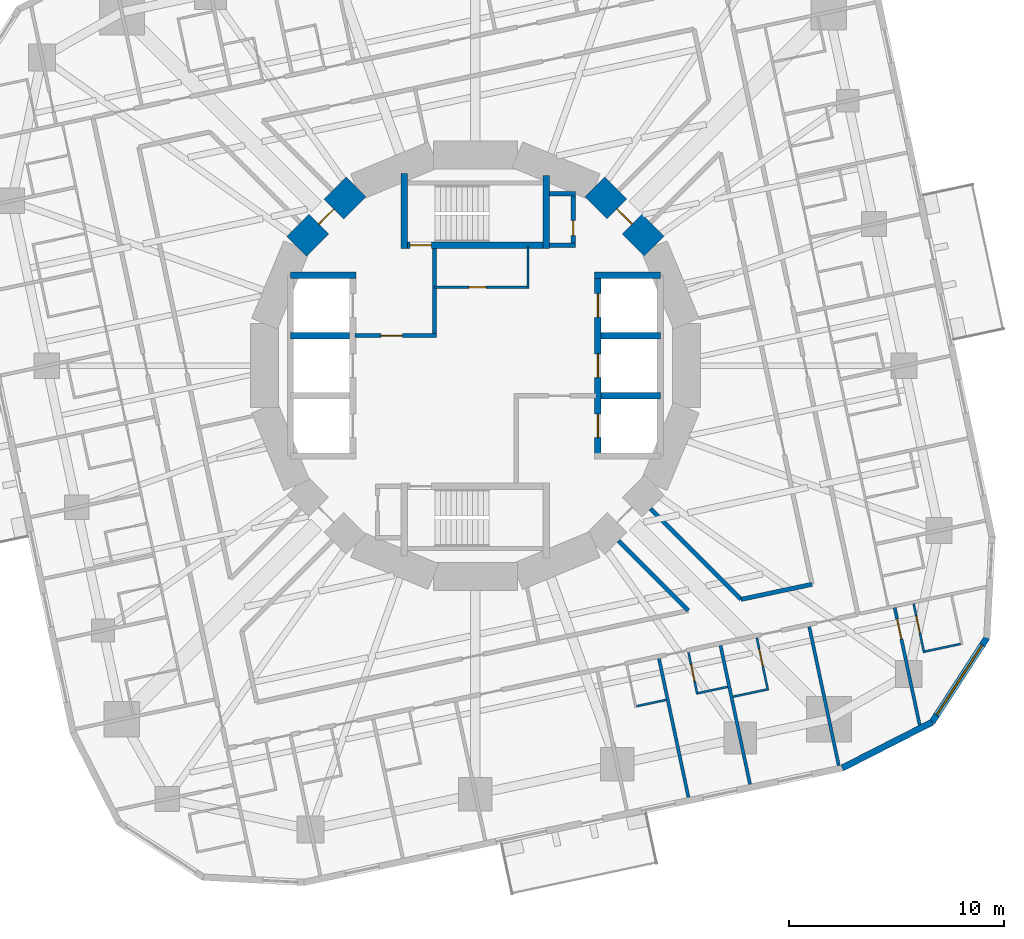
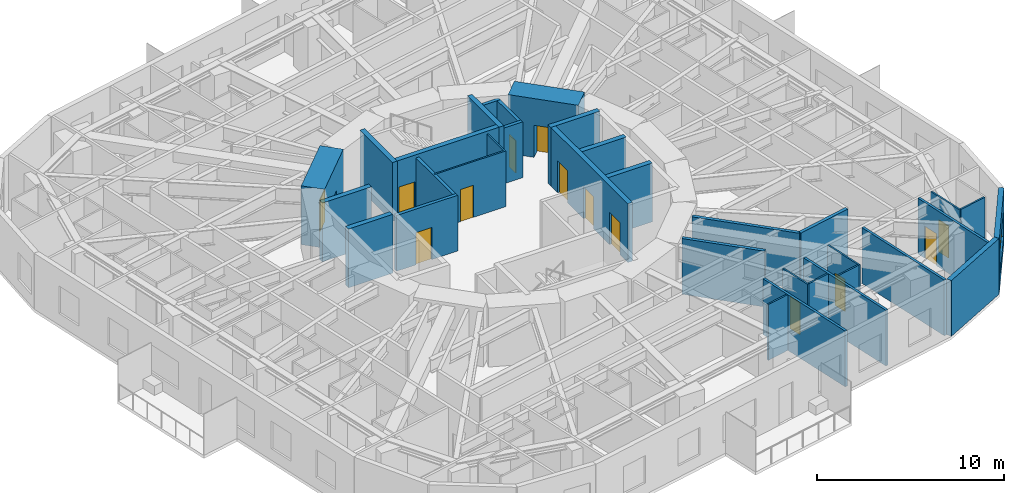
# One storey, part 7 of 13: 34 walls, 13 doors, 1 window, 14 openings.
"""IFC4 building model written with IfcOpenShell, lengths in metres."""

from ifc_helpers import new_model, si_unit, direction, frame, frame_2d, origin, place, context, subcontext, project, spatial, rectangle, extrude, material, layer, layer_set, type_object, element, fill, save


model = new_model("IFC4")

# Units and contexts
model_context = context("Model", 3, precision=1e-05, world=origin(), true_north=direction((0.0, 1.0)))
body_context = subcontext(model_context, "Body", "Model", "MODEL_VIEW")
ifc_project = project(units=[si_unit("LENGTHUNIT", "METRE"), si_unit("AREAUNIT", "SQUARE_METRE"), si_unit("VOLUMEUNIT", "CUBIC_METRE"), si_unit("PLANEANGLEUNIT", "RADIAN"), si_unit("MASSUNIT", "GRAM", prefix="KILO")], contexts=[model_context])

# Site, building, storey
site_placement = place(None, origin())
site = spatial("IfcSite", under=ifc_project, at=site_placement, CompositionType="ELEMENT")
building_placement = place(site_placement, origin())
building = spatial("IfcBuilding", under=site, at=building_placement, Name="Nakasero Lantern House", CompositionType="ELEMENT")
storey_placement = place(building_placement, frame((0.0, 0.0, 131.949951171875)))
storey = spatial("IfcBuildingStorey", under=building, at=storey_placement, Name="L32", CompositionType="ELEMENT", Elevation=131.949951171875)

# Wall, openings, doors
ifc_material_1 = material(Name="Concrete C50/60", Category="concrete")
ifc_layer_1 = layer(ifc_material_1, 0.300048828125)
ifc_layer_set_1 = layer_set([ifc_layer_1], Name="Core inner wall 300")
wall_type_1 = type_object("IfcWallType", Name="Core inner wall 300", PredefinedType="SHEAR", material=ifc_layer_set_1)
wall_1_placement = place(storey_placement, frame((5.699951171875, -4.199951171875, 0.0), z_axis=(0.0, 0.0, 1.0), x_axis=(0.0, 1.0, 0.0)))
wall_1 = element("IfcWall", 1, at=wall_1_placement, inside=storey, type_object=wall_type_1, Name="Core inner wall L32 LE", PredefinedType="SHEAR", context=body_context, shape_type="SweptSolid", body=[
    extrude(rectangle(XDim=8.39990234375, YDim=0.300048828125, at=frame_2d((4.199951171875, 0.0))), origin(), (0.0, 0.0, 1.0), 3.85009765625),
])
opening_1_placement = place(wall_1_placement, frame((0.85009765625, 0.0, 0.0)))
opening_1 = element("IfcOpeningElement", 2, at=opening_1_placement, cuts=wall_1, Name="Opening LD", PredefinedType="OPENING", context=body_context, shape_type="SweptSolid", body=[
    extrude(rectangle(XDim=1.10009765625, YDim=2.10009765625, at=frame_2d((0.550048828125, 1.050048828125))), frame((0.0, 0.169921875, 0.0), z_axis=(0.0, -1.0, 0.0), x_axis=(1.0, 0.0, 0.0)), (0.0, 0.0, 1.0), 0.340087890625),
])
opening_2_placement = place(wall_1_placement, frame((3.64990234375, 0.0, 0.0)))
opening_2 = element("IfcOpeningElement", 3, at=opening_2_placement, cuts=wall_1, Name="Opening LD", PredefinedType="OPENING", context=body_context, shape_type="SweptSolid", body=[
    extrude(rectangle(XDim=1.10009765625, YDim=2.10009765625, at=frame_2d((0.550048828125, 1.050048828125))), frame((0.0, 0.169921875, 0.0), z_axis=(0.0, -1.0, 0.0), x_axis=(1.0, 0.0, 0.0)), (0.0, 0.0, 1.0), 0.340087890625),
])
opening_3_placement = place(wall_1_placement, frame((6.449951171875, 0.0, 0.0)))
opening_3 = element("IfcOpeningElement", 4, at=opening_3_placement, cuts=wall_1, Name="Opening LD", PredefinedType="OPENING", context=body_context, shape_type="SweptSolid", body=[
    extrude(rectangle(XDim=1.10009765625, YDim=2.10009765625, at=frame_2d((0.550048828125, 1.050048828125))), frame((0.0, 0.169921875, 0.0), z_axis=(0.0, -1.0, 0.0), x_axis=(1.0, 0.0, 0.0)), (0.0, 0.0, 1.0), 0.340087890625),
])
ifc_material_2 = material(Name="Steel S355", Category="steel")
door_type_1 = type_object("IfcDoorType", Name="Lift landing door E120 1100", OperationType="SLIDING_TO_LEFT", PredefinedType="DOOR", material=ifc_material_2)
door_1_placement = place(opening_1_placement, origin())
door_1 = element("IfcDoor", 5, at=door_1_placement, inside=storey, type_object=door_type_1, Name="Lift landing door LE1", OperationType="SLIDING_TO_LEFT", OverallHeight=2.10009765625, OverallWidth=1.10009765625, PredefinedType="DOOR", context=body_context, shape_type="SweptSolid", body=[
    extrude(rectangle(XDim=1.10009765625, YDim=2.10009765625, at=frame_2d((0.550048828125, 1.050048828125))), frame((0.0, 0.02490234375, 0.0), z_axis=(0.0, -1.0, 0.0), x_axis=(1.0, 0.0, 0.0)), (0.0, 0.0, 1.0), 0.050048828125),
])
fill(opening_1, door_1)
door_2_placement = place(opening_2_placement, origin())
door_2 = element("IfcDoor", 6, at=door_2_placement, inside=storey, type_object=door_type_1, Name="Lift landing door LE2", OperationType="SLIDING_TO_LEFT", OverallHeight=2.10009765625, OverallWidth=1.10009765625, PredefinedType="DOOR", context=body_context, shape_type="SweptSolid", body=[
    extrude(rectangle(XDim=1.10009765625, YDim=2.10009765625, at=frame_2d((0.550048828125, 1.050048828125))), frame((0.0, 0.02490234375, 0.0), z_axis=(0.0, -1.0, 0.0), x_axis=(1.0, 0.0, 0.0)), (0.0, 0.0, 1.0), 0.050048828125),
])
fill(opening_2, door_2)
door_3_placement = place(opening_3_placement, origin())
door_3 = element("IfcDoor", 7, at=door_3_placement, inside=storey, type_object=door_type_1, Name="Lift landing door LE3", OperationType="SLIDING_TO_LEFT", OverallHeight=2.10009765625, OverallWidth=1.10009765625, PredefinedType="DOOR", context=body_context, shape_type="SweptSolid", body=[
    extrude(rectangle(XDim=1.10009765625, YDim=2.10009765625, at=frame_2d((0.550048828125, 1.050048828125))), frame((0.0, 0.02490234375, 0.0), z_axis=(0.0, -1.0, 0.0), x_axis=(1.0, 0.0, 0.0)), (0.0, 0.0, 1.0), 0.050048828125),
])
fill(opening_3, door_3)

# Walls
for number, where, z_axis, x_axis, name in (
    (8, (-8.60009765625, 4.199951171875, 0.0), (0.0, 0.0, 1.0), (1.0, 0.0, 0.0), "Core inner wall L32 LWN"),
    (9, (5.550048828125, 4.199951171875, 0.0), (0.0, 0.0, 1.0), (1.0, 0.0, 0.0), "Core inner wall L32 LEN"),
):
    element("IfcWall", number, at=place(storey_placement, frame(where, z_axis=z_axis, x_axis=x_axis)), inside=storey, type_object=wall_type_1, Name=name, PredefinedType="SHEAR", context=body_context, shape_type="SweptSolid", body=[
        extrude(rectangle(XDim=3.050048828125, YDim=0.300048828125, at=frame_2d((1.52490234375, 0.0))), origin(), (0.0, 0.0, 1.0), 3.85009765625),
    ])
for number, where, z_axis, x_axis, name in (
    (10, (-8.60009765625, 1.39990234375, 0.0), (0.0, 0.0, 1.0), (1.0, 0.0, 0.0), "Core inner wall L32 LW2"),
    (11, (5.85009765625, -1.39990234375, 0.0), (0.0, 0.0, 1.0), (1.0, 0.0, 0.0), "Core inner wall L32 LE1"),
    (12, (5.85009765625, 1.39990234375, 0.0), (0.0, 0.0, 1.0), (1.0, 0.0, 0.0), "Core inner wall L32 LE2"),
):
    element("IfcWall", number, at=place(storey_placement, frame(where, z_axis=z_axis, x_axis=x_axis)), inside=storey, type_object=wall_type_1, Name=name, PredefinedType="SHEAR", context=body_context, shape_type="SweptSolid", body=[
        extrude(rectangle(XDim=2.75, YDim=0.300048828125, at=frame_2d((1.375, 0.0))), origin(), (0.0, 0.0, 1.0), 3.85009765625),
    ])

# Wall, opening, door
wall_2_placement = place(storey_placement, frame((-3.449951171875, 5.60009765625, 0.0), z_axis=(0.0, 0.0, 1.0), x_axis=(1.0, 0.0, 0.0)))
wall_2 = element("IfcWall", 13, at=wall_2_placement, inside=storey, type_object=wall_type_1, Name="Core inner wall L32 SN", PredefinedType="SHEAR", context=body_context, shape_type="SweptSolid", body=[
    extrude(rectangle(XDim=6.89990234375, YDim=0.300048828125, at=frame_2d((3.449951171875, 0.0))), origin(), (0.0, 0.0, 1.0), 3.85009765625),
])
opening_4_placement = place(wall_2_placement, frame((0.39990234375, 0.0, 0.0)))
opening_4 = element("IfcOpeningElement", 14, at=opening_4_placement, cuts=wall_2, Name="Opening D05", PredefinedType="OPENING", context=body_context, shape_type="SweptSolid", body=[
    extrude(rectangle(XDim=1.0, YDim=2.10009765625, at=frame_2d((0.5, 1.050048828125))), frame((0.0, 0.169921875, 0.0), z_axis=(0.0, -1.0, 0.0), x_axis=(1.0, 0.0, 0.0)), (0.0, 0.0, 1.0), 0.340087890625),
])
ifc_material_3 = material(Name="Timber C24", Category="wood")
door_type_2 = type_object("IfcDoorType", Name="Core door FD60S 1000", OperationType="SINGLE_SWING_LEFT", PredefinedType="DOOR", material=ifc_material_3)
door_4_placement = place(opening_4_placement, origin())
door_4 = element("IfcDoor", 15, at=door_4_placement, inside=storey, type_object=door_type_2, Name="Door L32 D-ST1", OperationType="SINGLE_SWING_LEFT", OverallHeight=2.10009765625, OverallWidth=1.0, PredefinedType="DOOR", context=body_context, shape_type="SweptSolid", body=[
    extrude(rectangle(XDim=1.0, YDim=2.10009765625, at=frame_2d((0.5, 1.050048828125))), frame((0.0, 0.02490234375, 0.0), z_axis=(0.0, -1.0, 0.0), x_axis=(1.0, 0.0, 0.0)), (0.0, 0.0, 1.0), 0.050048828125),
])
fill(opening_4, door_4)

# Walls
wall_3_placement = place(storey_placement, frame((-3.300048828125, 5.449951171875, 0.0), z_axis=(0.0, 0.0, 1.0), x_axis=(0.0, 1.0, 0.0)))
element("IfcWall", 16, at=wall_3_placement, inside=storey, type_object=wall_type_1, Name="Core inner wall L32 SNW", PredefinedType="SHEAR", context=body_context, shape_type="SweptSolid", body=[
    extrude(rectangle(XDim=3.5, YDim=0.300048828125, at=frame_2d((1.75, 0.0))), origin(), (0.0, 0.0, 1.0), 3.85009765625),
])
wall_4_placement = place(storey_placement, frame((3.300048828125, 5.449951171875, 0.0), z_axis=(0.0, 0.0, 1.0), x_axis=(0.0, 1.0, 0.0)))
element("IfcWall", 17, at=wall_4_placement, inside=storey, type_object=wall_type_1, Name="Core inner wall L32 SNE", PredefinedType="SHEAR", context=body_context, shape_type="SweptSolid", body=[
    extrude(rectangle(XDim=3.400146484375, YDim=0.300048828125, at=frame_2d((1.7001953125, 0.0))), origin(), (0.0, 0.0, 1.0), 3.85009765625),
])

# Wall, opening, door
ifc_material_4 = material(Name="Blockwork", Category="masonry")
ifc_layer_2 = layer(ifc_material_4, 0.10009765625)
ifc_layer_set_2 = layer_set([ifc_layer_2], Name="Core room wall 100")
wall_type_2 = type_object("IfcWallType", Name="Core room wall 100", PredefinedType="PARTITIONING", material=ifc_layer_set_2)
wall_5_placement = place(storey_placement, frame((-1.89990234375, 3.64990234375, 0.0), z_axis=(0.0, 0.0, 1.0), x_axis=(1.0, 0.0, 0.0)))
wall_5 = element("IfcWall", 18, at=wall_5_placement, inside=storey, type_object=wall_type_2, Name="Core room wall L32 CR-NES", PredefinedType="PARTITIONING", context=body_context, shape_type="SweptSolid", body=[
    extrude(rectangle(XDim=4.39990234375, YDim=0.10009765625, at=frame_2d((2.199951171875, 0.0))), origin(), (0.0, 0.0, 1.0), 3.650146484375),
])
opening_5_placement = place(wall_5_placement, frame((1.60009765625, 0.0, 0.0)))
opening_5 = element("IfcOpeningElement", 19, at=opening_5_placement, cuts=wall_5, Name="Opening D15", PredefinedType="OPENING", context=body_context, shape_type="SweptSolid", body=[
    extrude(rectangle(XDim=0.800048828125, YDim=2.10009765625, at=frame_2d((0.39990234375, 1.050048828125))), frame((0.0, 0.070068359375, 0.0), z_axis=(0.0, -1.0, 0.0), x_axis=(1.0, 0.0, 0.0)), (0.0, 0.0, 1.0), 0.14013671875),
])
ifc_material_5 = material(Name="Timber C24", Category="wood")
door_type_3 = type_object("IfcDoorType", Name="Cleaner's store door FD30S 800", OperationType="SINGLE_SWING_LEFT", PredefinedType="DOOR", material=ifc_material_5)
door_5_placement = place(opening_5_placement, origin())
door_5 = element("IfcDoor", 20, at=door_5_placement, inside=storey, type_object=door_type_3, Name="Door L32 D-CR-NE", OperationType="SINGLE_SWING_LEFT", OverallHeight=2.10009765625, OverallWidth=0.800048828125, PredefinedType="DOOR", context=body_context, shape_type="SweptSolid", body=[
    extrude(rectangle(XDim=0.800048828125, YDim=2.10009765625, at=frame_2d((0.39990234375, 1.050048828125))), frame((0.0, 0.02490234375, 0.0), z_axis=(0.0, -1.0, 0.0), x_axis=(1.0, 0.0, 0.0)), (0.0, 0.0, 1.0), 0.050048828125),
])
fill(opening_5, door_5)

# Wall
wall_6_placement = place(storey_placement, frame((2.449951171875, 3.60009765625, 0.0), z_axis=(0.0, 0.0, 1.0), x_axis=(0.0, 1.0, 0.0)))
element("IfcWall", 21, at=wall_6_placement, inside=storey, type_object=wall_type_2, Name="Core room wall L32 CR-NEE", PredefinedType="PARTITIONING", context=body_context, shape_type="SweptSolid", body=[
    extrude(rectangle(XDim=1.949951171875, YDim=0.10009765625, at=frame_2d((0.97509765625, 0.0))), origin(), (0.0, 0.0, 1.0), 3.650146484375),
])

# Wall, opening, door
ifc_material_6 = material(Name="Concrete C50/60", Category="concrete")
ifc_layer_3 = layer(ifc_material_6, 1.300048828125)
ifc_layer_set_3 = layer_set([ifc_layer_3], Name="Core wall 1300")
wall_type_3 = type_object("IfcWallType", Name="Core wall 1300", PredefinedType="SHEAR", material=ifc_layer_set_3)
wall_7_placement = place(storey_placement, frame((8.314697265625, 5.5556640625, 0.0), z_axis=(0.0, 0.0, 1.0), x_axis=(-0.707106781187, 0.707106781187, 0.0)))
wall_7 = element("IfcWall", 22, at=wall_7_placement, inside=storey, type_object=wall_type_3, Name="Core wall L32 facet 2", PredefinedType="SHEAR", context=body_context, shape_type="SweptSolid", body=[
    extrude(rectangle(XDim=3.90185546875, YDim=1.300048828125, at=frame_2d((1.950927734375, 0.0))), origin(), (0.0, 0.0, 1.0), 3.85009765625),
])
opening_6_placement = place(wall_7_placement, frame((1.450927734375, 0.0, 0.0)))
opening_6 = element("IfcOpeningElement", 23, at=opening_6_placement, cuts=wall_7, Name="Opening D05", PredefinedType="OPENING", context=body_context, shape_type="SweptSolid", body=[
    extrude(rectangle(XDim=1.0, YDim=2.10009765625, at=frame_2d((0.5, 1.050048828125))), frame((0.0, 0.669921875, 0.0), z_axis=(0.0, -1.0, 0.0), x_axis=(1.0, 0.0, 0.0)), (0.0, 0.0, 1.0), 1.340087890625),
])
door_6_placement = place(opening_6_placement, origin())
door_6 = element("IfcDoor", 24, at=door_6_placement, inside=storey, type_object=door_type_2, Name="Door L32 D-CORE02", OperationType="SINGLE_SWING_LEFT", OverallHeight=2.10009765625, OverallWidth=1.0, PredefinedType="DOOR", context=body_context, shape_type="SweptSolid", body=[
    extrude(rectangle(XDim=1.0, YDim=2.10009765625, at=frame_2d((0.5, 1.050048828125))), frame((0.0, 0.02490234375, 0.0), z_axis=(0.0, -1.0, 0.0), x_axis=(1.0, 0.0, 0.0)), (0.0, 0.0, 1.0), 0.050048828125),
])
fill(opening_6, door_6)

wall_8_placement = place(storey_placement, frame((-5.5556640625, 8.314697265625, 0.0), z_axis=(0.0, 0.0, 1.0), x_axis=(-0.707106781187, -0.707106781187, 0.0)))
wall_8 = element("IfcWall", 25, at=wall_8_placement, inside=storey, type_object=wall_type_3, Name="Core wall L32 facet 6", PredefinedType="SHEAR", context=body_context, shape_type="SweptSolid", body=[
    extrude(rectangle(XDim=3.90185546875, YDim=1.300048828125, at=frame_2d((1.950927734375, 0.0))), origin(), (0.0, 0.0, 1.0), 3.85009765625),
])
opening_7_placement = place(wall_8_placement, frame((1.450927734375, 0.0, 0.0)))
opening_7 = element("IfcOpeningElement", 26, at=opening_7_placement, cuts=wall_8, Name="Opening D05", PredefinedType="OPENING", context=body_context, shape_type="SweptSolid", body=[
    extrude(rectangle(XDim=1.0, YDim=2.10009765625, at=frame_2d((0.5, 1.050048828125))), frame((0.0, 0.669921875, 0.0), z_axis=(0.0, -1.0, 0.0), x_axis=(1.0, 0.0, 0.0)), (0.0, 0.0, 1.0), 1.340087890625),
])
door_7_placement = place(opening_7_placement, origin())
door_7 = element("IfcDoor", 27, at=door_7_placement, inside=storey, type_object=door_type_2, Name="Door L32 D-CORE06", OperationType="SINGLE_SWING_LEFT", OverallHeight=2.10009765625, OverallWidth=1.0, PredefinedType="DOOR", context=body_context, shape_type="SweptSolid", body=[
    extrude(rectangle(XDim=1.0, YDim=2.10009765625, at=frame_2d((0.5, 1.050048828125))), frame((0.0, 0.02490234375, 0.0), z_axis=(0.0, -1.0, 0.0), x_axis=(1.0, 0.0, 0.0)), (0.0, 0.0, 1.0), 0.050048828125),
])
fill(opening_7, door_7)

# Walls
ifc_material_7 = material(Name="Blockwork", Category="masonry")
ifc_layer_4 = layer(ifc_material_7, 0.199951171875)
ifc_layer_set_4 = layer_set([ifc_layer_4], Name="Corridor wall 200")
wall_type_4 = type_object("IfcWallType", Name="Corridor wall 200", PredefinedType="PARTITIONING", material=ifc_layer_set_4)
wall_9_placement = place(storey_placement, frame((12.35400390625, -10.868896484375, 0.0), z_axis=(0.0, 0.0, 1.0), x_axis=(0.978145063506, 0.207923627178, 0.0)))
element("IfcWall", 28, at=wall_9_placement, inside=storey, type_object=wall_type_4, Name="Corridor wall L32 IW3-1", PredefinedType="PARTITIONING", context=body_context, shape_type="SweptSolid", body=[
    extrude(rectangle(XDim=3.375732421875, YDim=0.199951171875, at=frame_2d((1.68798828125, 0.0))), origin(), (0.0, 0.0, 1.0), 3.650146484375),
])
wall_10_placement = place(storey_placement, frame((8.13720703125, -6.65234375, 0.0), z_axis=(0.0, 0.0, 1.0), x_axis=(0.707127251225, -0.707086310555, 0.0)))
element("IfcWall", 29, at=wall_10_placement, inside=storey, type_object=wall_type_4, Name="Corridor wall L32 PS14a", PredefinedType="PARTITIONING", context=body_context, shape_type="SweptSolid", body=[
    extrude(rectangle(XDim=5.96337890625, YDim=0.199951171875, at=frame_2d((2.981689453125, 0.0))), origin(), (0.0, 0.0, 1.0), 3.650146484375),
])
wall_11_placement = place(storey_placement, frame((6.65234375, -8.13720703125, 0.0), z_axis=(0.0, 0.0, 1.0), x_axis=(0.707106781187, -0.707106781187, 0.0)))
element("IfcWall", 30, at=wall_11_placement, inside=storey, type_object=wall_type_4, Name="Corridor wall L32 PS14b", PredefinedType="PARTITIONING", context=body_context, shape_type="SweptSolid", body=[
    extrude(rectangle(XDim=4.599609375, YDim=0.199951171875, at=frame_2d((2.2998046875, 0.0))), origin(), (0.0, 0.0, 1.0), 3.650146484375),
])
ifc_material_8 = material(Name="Blockwork", Category="masonry")
ifc_layer_5 = layer(ifc_material_8, 0.10009765625)
ifc_layer_set_5 = layer_set([ifc_layer_5], Name="En-suite wall 100")
wall_type_5 = type_object("IfcWallType", Name="En-suite wall 100", PredefinedType="PARTITIONING", material=ifc_layer_set_5)
wall_12_placement = place(storey_placement, frame((7.50048828125, -15.836669921875, 0.0), z_axis=(0.0, 0.0, 1.0), x_axis=(0.978155748334, 0.207873355681, 0.0)))
element("IfcWall", 31, at=wall_12_placement, inside=storey, type_object=wall_type_5, Name="En-suite wall L32 EE3-05", PredefinedType="PARTITIONING", context=body_context, shape_type="SweptSolid", body=[
    extrude(rectangle(XDim=1.39990234375, YDim=0.10009765625, at=frame_2d((0.699951171875, 0.0))), origin(), (0.0, 0.0, 1.0), 3.650146484375),
])

# Wall, opening, door
wall_13_placement = place(storey_placement, frame((9.908447265625, -13.331298828125, 0.0), z_axis=(0.0, 0.0, 1.0), x_axis=(0.208003285743, -0.978128127149, 0.0)))
wall_13 = element("IfcWall", 32, at=wall_13_placement, inside=storey, type_object=wall_type_5, Name="En-suite wall L32 ES3-06", PredefinedType="PARTITIONING", context=body_context, shape_type="SweptSolid", body=[
    extrude(rectangle(XDim=2.0, YDim=0.10009765625, at=frame_2d((1.0, 0.0))), origin(), (0.0, 0.0, 1.0), 3.650146484375),
])
opening_8_placement = place(wall_13_placement, frame((0.550048828125, 0.0, 0.0)))
opening_8 = element("IfcOpeningElement", 33, at=opening_8_placement, cuts=wall_13, Name="Opening D02", PredefinedType="OPENING", context=body_context, shape_type="SweptSolid", body=[
    extrude(rectangle(XDim=0.800048828125, YDim=2.10009765625, at=frame_2d((0.39990234375, 1.050048828125))), frame((0.0, 0.070068359375, 0.0), z_axis=(0.0, -1.0, 0.0), x_axis=(1.0, 0.0, 0.0)), (0.0, 0.0, 1.0), 0.14013671875),
])
ifc_material_9 = material(Name="Timber C24", Category="wood")
door_type_4 = type_object("IfcDoorType", Name="En-suite door 800", OperationType="SINGLE_SWING_RIGHT", PredefinedType="DOOR", material=ifc_material_9)
door_8_placement = place(opening_8_placement, origin())
door_8 = element("IfcDoor", 34, at=door_8_placement, inside=storey, type_object=door_type_4, Name="Door L32 DE3-06", OperationType="SINGLE_SWING_LEFT", OverallHeight=2.10009765625, OverallWidth=0.800048828125, PredefinedType="DOOR", context=body_context, shape_type="SweptSolid", body=[
    extrude(rectangle(XDim=0.800048828125, YDim=2.10009765625, at=frame_2d((0.39990234375, 1.050048828125))), frame((0.0, 0.02490234375, 0.0), z_axis=(0.0, -1.0, 0.0), x_axis=(1.0, 0.0, 0.0)), (0.0, 0.0, 1.0), 0.050048828125),
])
fill(opening_8, door_8)

# Wall
wall_14_placement = place(storey_placement, frame((10.36279296875, -15.228271484375, 0.0), z_axis=(0.0, 0.0, 1.0), x_axis=(0.978155748334, 0.207873355681, 0.0)))
element("IfcWall", 35, at=wall_14_placement, inside=storey, type_object=wall_type_5, Name="En-suite wall L32 EE3-06", PredefinedType="PARTITIONING", context=body_context, shape_type="SweptSolid", body=[
    extrude(rectangle(XDim=1.39990234375, YDim=0.10009765625, at=frame_2d((0.699951171875, 0.0))), origin(), (0.0, 0.0, 1.0), 3.650146484375),
])

# Wall, opening, door
wall_15_placement = place(storey_placement, frame((13.08740234375, -12.655517578125, 0.0), z_axis=(0.0, 0.0, 1.0), x_axis=(0.207914818928, -0.978146935828, 0.0)))
wall_15 = element("IfcWall", 36, at=wall_15_placement, inside=storey, type_object=wall_type_5, Name="En-suite wall L32 ES3-07", PredefinedType="PARTITIONING", context=body_context, shape_type="SweptSolid", body=[
    extrude(rectangle(XDim=2.5, YDim=0.10009765625, at=frame_2d((1.25, 0.0))), origin(), (0.0, 0.0, 1.0), 3.650146484375),
])
opening_9_placement = place(wall_15_placement, frame((0.550048828125, 0.0, 0.0)))
opening_9 = element("IfcOpeningElement", 37, at=opening_9_placement, cuts=wall_15, Name="Opening D02", PredefinedType="OPENING", context=body_context, shape_type="SweptSolid", body=[
    extrude(rectangle(XDim=0.800048828125, YDim=2.10009765625, at=frame_2d((0.39990234375, 1.050048828125))), frame((0.0, 0.070068359375, 0.0), z_axis=(0.0, -1.0, 0.0), x_axis=(1.0, 0.0, 0.0)), (0.0, 0.0, 1.0), 0.14013671875),
])
door_9_placement = place(opening_9_placement, origin())
door_9 = element("IfcDoor", 38, at=door_9_placement, inside=storey, type_object=door_type_4, Name="Door L32 DE3-07", OperationType="SINGLE_SWING_LEFT", OverallHeight=2.10009765625, OverallWidth=0.800048828125, PredefinedType="DOOR", context=body_context, shape_type="SweptSolid", body=[
    extrude(rectangle(XDim=0.800048828125, YDim=2.10009765625, at=frame_2d((0.39990234375, 1.050048828125))), frame((0.0, 0.02490234375, 0.0), z_axis=(0.0, -1.0, 0.0), x_axis=(1.0, 0.0, 0.0)), (0.0, 0.0, 1.0), 0.050048828125),
])
fill(opening_9, door_9)

# Wall
wall_16_placement = place(storey_placement, frame((11.98291015625, -15.39501953125, 0.0), z_axis=(0.0, 0.0, 1.0), x_axis=(0.978138294895, 0.207955466533, 0.0)))
element("IfcWall", 39, at=wall_16_placement, inside=storey, type_object=wall_type_5, Name="En-suite wall L32 EE3-07", PredefinedType="PARTITIONING", context=body_context, shape_type="SweptSolid", body=[
    extrude(rectangle(XDim=1.60009765625, YDim=0.10009765625, at=frame_2d((0.800048828125, 0.0))), origin(), (0.0, 0.0, 1.0), 3.650146484375),
])

# Wall, opening, door
wall_17_placement = place(storey_placement, frame((20.382568359375, -11.069091796875, 0.0), z_axis=(0.0, 0.0, 1.0), x_axis=(0.207965047255, -0.978136257952, 0.0)))
wall_17 = element("IfcWall", 40, at=wall_17_placement, inside=storey, type_object=wall_type_5, Name="En-suite wall L32 ES3-08", PredefinedType="PARTITIONING", context=body_context, shape_type="SweptSolid", body=[
    extrude(rectangle(XDim=2.3349609375, YDim=0.10009765625, at=frame_2d((1.16748046875, 0.0))), origin(), (0.0, 0.0, 1.0), 3.650146484375),
])
opening_10_placement = place(wall_17_placement, frame((0.5849609375, 0.0, 0.0)))
opening_10 = element("IfcOpeningElement", 41, at=opening_10_placement, cuts=wall_17, Name="Opening D02", PredefinedType="OPENING", context=body_context, shape_type="SweptSolid", body=[
    extrude(rectangle(XDim=0.800048828125, YDim=2.10009765625, at=frame_2d((0.39990234375, 1.050048828125))), frame((0.0, 0.070068359375, 0.0), z_axis=(0.0, -1.0, 0.0), x_axis=(1.0, 0.0, 0.0)), (0.0, 0.0, 1.0), 0.14013671875),
])
door_10_placement = place(opening_10_placement, origin())
door_10 = element("IfcDoor", 42, at=door_10_placement, inside=storey, type_object=door_type_4, Name="Door L32 DE3-08", OperationType="SINGLE_SWING_LEFT", OverallHeight=2.10009765625, OverallWidth=0.800048828125, PredefinedType="DOOR", context=body_context, shape_type="SweptSolid", body=[
    extrude(rectangle(XDim=0.800048828125, YDim=2.10009765625, at=frame_2d((0.39990234375, 1.050048828125))), frame((0.0, 0.02490234375, 0.0), z_axis=(0.0, -1.0, 0.0), x_axis=(1.0, 0.0, 0.0)), (0.0, 0.0, 1.0), 0.050048828125),
])
fill(opening_10, door_10)

# Walls
wall_18_placement = place(storey_placement, frame((20.906494140625, -13.293701171875, 0.0), z_axis=(0.0, 0.0, 1.0), x_axis=(0.978168704767, 0.207812379357, 0.0)))
element("IfcWall", 43, at=wall_18_placement, inside=storey, type_object=wall_type_5, Name="En-suite wall L32 EE3-08", PredefinedType="PARTITIONING", context=body_context, shape_type="SweptSolid", body=[
    extrude(rectangle(XDim=1.699951171875, YDim=0.10009765625, at=frame_2d((0.85009765625, 0.0))), origin(), (0.0, 0.0, 1.0), 3.650146484375),
])
ifc_material_10 = material(Name="Aluminium rainscreen on blockwork", Category="masonry")
ifc_layer_6 = layer(ifc_material_10, 0.300048828125)
ifc_layer_set_6 = layer_set([ifc_layer_6], Name="Facade wall 300")
wall_type_6 = type_object("IfcWallType", Name="Facade wall 300", PredefinedType="SOLIDWALL", material=ifc_layer_set_6)
wall_19_placement = place(storey_placement, frame((17.063232421875, -18.711181640625, 0.0), z_axis=(0.0, 0.0, 1.0), x_axis=(0.89101404178, 0.453975745332, 0.0)))
element("IfcWall", 44, at=wall_19_placement, inside=storey, type_object=wall_type_6, Name="Facade wall L32 FW3C1", PredefinedType="SOLIDWALL", context=body_context, shape_type="SweptSolid", body=[
    extrude(rectangle(XDim=4.6845703125, YDim=0.300048828125, at=frame_2d((2.34228515625, 0.0))), origin(), (0.0, 0.0, 1.0), 3.650146484375),
])

# Wall, opening, window
wall_20_placement = place(storey_placement, frame((21.2373046875, -16.58447265625, 0.0), z_axis=(0.0, 0.0, 1.0), x_axis=(0.544605442853, 0.838692381994, 0.0)))
wall_20 = element("IfcWall", 45, at=wall_20_placement, inside=storey, type_object=wall_type_6, Name="Facade wall L32 FW3C2", PredefinedType="SOLIDWALL", context=body_context, shape_type="SweptSolid", body=[
    extrude(rectangle(XDim=4.6845703125, YDim=0.300048828125, at=frame_2d((2.34228515625, 0.0))), origin(), (0.0, 0.0, 1.0), 3.650146484375),
])
opening_11_placement = place(wall_20_placement, frame((0.39990234375, 0.0, 0.75)))
opening_11 = element("IfcOpeningElement", 46, at=opening_11_placement, cuts=wall_20, Name="Opening W238", PredefinedType="OPENING", context=body_context, shape_type="SweptSolid", body=[
    extrude(rectangle(XDim=3.885009765625, YDim=1.800048828125, at=frame_2d((1.9423828125, 0.89990234375))), frame((0.0, 0.169921875, 0.0), z_axis=(0.0, -1.0, 0.0), x_axis=(1.0, 0.0, 0.0)), (0.0, 0.0, 1.0), 0.340087890625),
])
ifc_material_11 = material(Name="Aluminium 6063-T6 and glass", Category="aluminium")
window_type = type_object("IfcWindowType", Name="Corner window 3885x1800", PartitioningType="SINGLE_PANEL", PredefinedType="WINDOW", material=ifc_material_11)
window_placement = place(opening_11_placement, origin())
window = element("IfcWindow", 47, at=window_placement, inside=storey, type_object=window_type, Name="Window L32 WC3", OverallHeight=1.800048828125, OverallWidth=3.885009765625, PartitioningType="SINGLE_PANEL", PredefinedType="WINDOW", context=body_context, shape_type="SweptSolid", body=[
    extrude(rectangle(XDim=3.885009765625, YDim=1.800048828125, at=frame_2d((1.9423828125, 0.89990234375))), frame((0.0, 0.030029296875, 0.0), z_axis=(0.0, -1.0, 0.0), x_axis=(1.0, 0.0, 0.0)), (0.0, 0.0, 1.0), 0.06005859375),
])
fill(opening_11, window)

# Wall, opening, door
ifc_material_12 = material(Name="Blockwork", Category="masonry")
ifc_layer_7 = layer(ifc_material_12, 0.199951171875)
ifc_layer_set_7 = layer_set([ifc_layer_7], Name="Fire lobby wall 200")
wall_type_7 = type_object("IfcWallType", Name="Fire lobby wall 200", PredefinedType="PARTITIONING", material=ifc_layer_set_7)
wall_21_placement = place(storey_placement, frame((-5.60009765625, 1.39990234375, 0.0), z_axis=(0.0, 0.0, 1.0), x_axis=(1.0, 0.0, 0.0)))
wall_21 = element("IfcWall", 48, at=wall_21_placement, inside=storey, type_object=wall_type_7, Name="Fire lobby wall L32 W-FL1S", PredefinedType="PARTITIONING", context=body_context, shape_type="SweptSolid", body=[
    extrude(rectangle(XDim=3.800048828125, YDim=0.199951171875, at=frame_2d((1.89990234375, 0.0))), origin(), (0.0, 0.0, 1.0), 3.650146484375),
])
opening_12_placement = place(wall_21_placement, frame((1.199951171875, 0.0, 0.0)))
opening_12 = element("IfcOpeningElement", 49, at=opening_12_placement, cuts=wall_21, Name="Opening D05", PredefinedType="OPENING", context=body_context, shape_type="SweptSolid", body=[
    extrude(rectangle(XDim=1.0, YDim=2.10009765625, at=frame_2d((0.5, 1.050048828125))), frame((0.0, 0.119873046875, 0.0), z_axis=(0.0, -1.0, 0.0), x_axis=(1.0, 0.0, 0.0)), (0.0, 0.0, 1.0), 0.239990234375),
])
door_11_placement = place(opening_12_placement, origin())
door_11 = element("IfcDoor", 50, at=door_11_placement, inside=storey, type_object=door_type_2, Name="Door L32 D-FL1", OperationType="SINGLE_SWING_LEFT", OverallHeight=2.10009765625, OverallWidth=1.0, PredefinedType="DOOR", context=body_context, shape_type="SweptSolid", body=[
    extrude(rectangle(XDim=1.0, YDim=2.10009765625, at=frame_2d((0.5, 1.050048828125))), frame((0.0, 0.02490234375, 0.0), z_axis=(0.0, -1.0, 0.0), x_axis=(1.0, 0.0, 0.0)), (0.0, 0.0, 1.0), 0.050048828125),
])
fill(opening_12, door_11)

# Wall
wall_22_placement = place(storey_placement, frame((-1.89990234375, 1.5, 0.0), z_axis=(0.0, 0.0, 1.0), x_axis=(0.0, 1.0, 0.0)))
element("IfcWall", 51, at=wall_22_placement, inside=storey, type_object=wall_type_7, Name="Fire lobby wall L32 W-FL1E", PredefinedType="PARTITIONING", context=body_context, shape_type="SweptSolid", body=[
    extrude(rectangle(XDim=3.949951171875, YDim=0.199951171875, at=frame_2d((1.97509765625, 0.0))), origin(), (0.0, 0.0, 1.0), 3.650146484375),
])

# Wall, opening, door
wall_23_placement = place(storey_placement, frame((4.550048828125, 5.60009765625, 0.0), z_axis=(0.0, 0.0, 1.0), x_axis=(0.0, 1.0, 0.0)))
wall_23 = element("IfcWall", 52, at=wall_23_placement, inside=storey, type_object=wall_type_7, Name="Fire lobby wall L32 W-RS1E", PredefinedType="PARTITIONING", context=body_context, shape_type="SweptSolid", body=[
    extrude(rectangle(XDim=2.39990234375, YDim=0.199951171875, at=frame_2d((1.199951171875, 0.0))), origin(), (0.0, 0.0, 1.0), 3.650146484375),
])
opening_13_placement = place(wall_23_placement, frame((0.449951171875, 0.0, 0.0)))
opening_13 = element("IfcOpeningElement", 53, at=opening_13_placement, cuts=wall_23, Name="Opening D06", PredefinedType="OPENING", context=body_context, shape_type="SweptSolid", body=[
    extrude(rectangle(XDim=0.699951171875, YDim=2.10009765625, at=frame_2d((0.35009765625, 1.050048828125))), frame((0.0, 0.119873046875, 0.0), z_axis=(0.0, -1.0, 0.0), x_axis=(1.0, 0.0, 0.0)), (0.0, 0.0, 1.0), 0.239990234375),
])
ifc_material_13 = material(Name="Steel S355", Category="steel")
door_type_5 = type_object("IfcDoorType", Name="Riser door FD60 700", OperationType="SINGLE_SWING_LEFT", PredefinedType="DOOR", material=ifc_material_13)
door_12_placement = place(opening_13_placement, origin())
door_12 = element("IfcDoor", 54, at=door_12_placement, inside=storey, type_object=door_type_5, Name="Door L32 D-RS1", OperationType="SINGLE_SWING_LEFT", OverallHeight=2.10009765625, OverallWidth=0.699951171875, PredefinedType="DOOR", context=body_context, shape_type="SweptSolid", body=[
    extrude(rectangle(XDim=0.699951171875, YDim=2.10009765625, at=frame_2d((0.35009765625, 1.050048828125))), frame((0.0, 0.02490234375, 0.0), z_axis=(0.0, -1.0, 0.0), x_axis=(1.0, 0.0, 0.0)), (0.0, 0.0, 1.0), 0.050048828125),
])
fill(opening_13, door_12)

# Walls
for number, where, z_axis, x_axis, name in (
    (55, (3.449951171875, 8.0, 0.0), (0.0, 0.0, 1.0), (1.0, 0.0, 0.0), "Fire lobby wall L32 W-RS1N"),
    (56, (3.449951171875, 5.60009765625, 0.0), (0.0, 0.0, 1.0), (1.0, 0.0, 0.0), "Fire lobby wall L32 W-RS1S"),
):
    element("IfcWall", number, at=place(storey_placement, frame(where, z_axis=z_axis, x_axis=x_axis)), inside=storey, type_object=wall_type_7, Name=name, PredefinedType="PARTITIONING", context=body_context, shape_type="SweptSolid", body=[
        extrude(rectangle(XDim=1.199951171875, YDim=0.199951171875, at=frame_2d((0.60009765625, 0.0))), origin(), (0.0, 0.0, 1.0), 3.650146484375),
    ])
ifc_material_14 = material(Name="Blockwork", Category="masonry")
ifc_layer_8 = layer(ifc_material_14, 0.14990234375)
ifc_layer_set_8 = layer_set([ifc_layer_8], Name="Party wall 150")
wall_type_8 = type_object("IfcWallType", Name="Party wall 150", PredefinedType="PARTITIONING", material=ifc_layer_set_8)
for number, where, z_axis, x_axis, name in (
    (57, (8.537841796875, -13.62255859375, 0.0), (0.0, 0.0, 1.0), (0.207889281984, -0.97815236361, 0.0), "Party wall L32 PW3-06"),
    (58, (11.400146484375, -13.01416015625, 0.0), (0.0, 0.0, 1.0), (0.207924673876, -0.978144841009, 0.0), "Party wall L32 PW3-07"),
    (59, (15.526123046875, -12.13720703125, 0.0), (0.0, 0.0, 1.0), (0.207924673876, -0.978144841009, 0.0), "Party wall L32 PW3-08"),
):
    element("IfcWall", number, at=place(storey_placement, frame(where, z_axis=z_axis, x_axis=x_axis)), inside=storey, type_object=wall_type_8, Name=name, PredefinedType="PARTITIONING", context=body_context, shape_type="SweptSolid", body=[
        extrude(rectangle(XDim=6.60009765625, YDim=0.14990234375, at=frame_2d((3.300048828125, 0.0))), origin(), (0.0, 0.0, 1.0), 3.650146484375),
    ])

# Wall, opening, door
wall_24_placement = place(storey_placement, frame((19.502197265625, -11.256103515625, 0.0), z_axis=(0.0, 0.0, 1.0), x_axis=(0.207936339891, -0.978142361087, 0.0)))
wall_24 = element("IfcWall", 60, at=wall_24_placement, inside=storey, type_object=wall_type_8, Name="Party wall L32 PC3", PredefinedType="PARTITIONING", context=body_context, shape_type="SweptSolid", body=[
    extrude(rectangle(XDim=5.570068359375, YDim=0.14990234375, at=frame_2d((2.78515625, 0.0))), origin(), (0.0, 0.0, 1.0), 3.650146484375),
])
opening_14_placement = place(wall_24_placement, frame((0.534912109375, 0.0, 0.0)))
opening_14 = element("IfcOpeningElement", 61, at=opening_14_placement, cuts=wall_24, Name="Opening D01", PredefinedType="OPENING", context=body_context, shape_type="SweptSolid", body=[
    extrude(rectangle(XDim=0.949951171875, YDim=2.10009765625, at=frame_2d((0.47509765625, 1.050048828125))), frame((0.0, 0.094970703125, 0.0), z_axis=(0.0, -1.0, 0.0), x_axis=(1.0, 0.0, 0.0)), (0.0, 0.0, 1.0), 0.18994140625),
])
ifc_material_15 = material(Name="Timber C24", Category="wood")
door_type_6 = type_object("IfcDoorType", Name="Bedroom door FD30S 950", OperationType="SINGLE_SWING_LEFT", PredefinedType="DOOR", material=ifc_material_15)
door_13_placement = place(opening_14_placement, origin())
door_13 = element("IfcDoor", 62, at=door_13_placement, inside=storey, type_object=door_type_6, Name="Door L32 DC3", OperationType="SINGLE_SWING_LEFT", OverallHeight=2.10009765625, OverallWidth=0.949951171875, PredefinedType="DOOR", context=body_context, shape_type="SweptSolid", body=[
    extrude(rectangle(XDim=0.949951171875, YDim=2.10009765625, at=frame_2d((0.47509765625, 1.050048828125))), frame((0.0, 0.02490234375, 0.0), z_axis=(0.0, -1.0, 0.0), x_axis=(1.0, 0.0, 0.0)), (0.0, 0.0, 1.0), 0.050048828125),
])
fill(opening_14, door_13)

save(model, "model.ifc")
